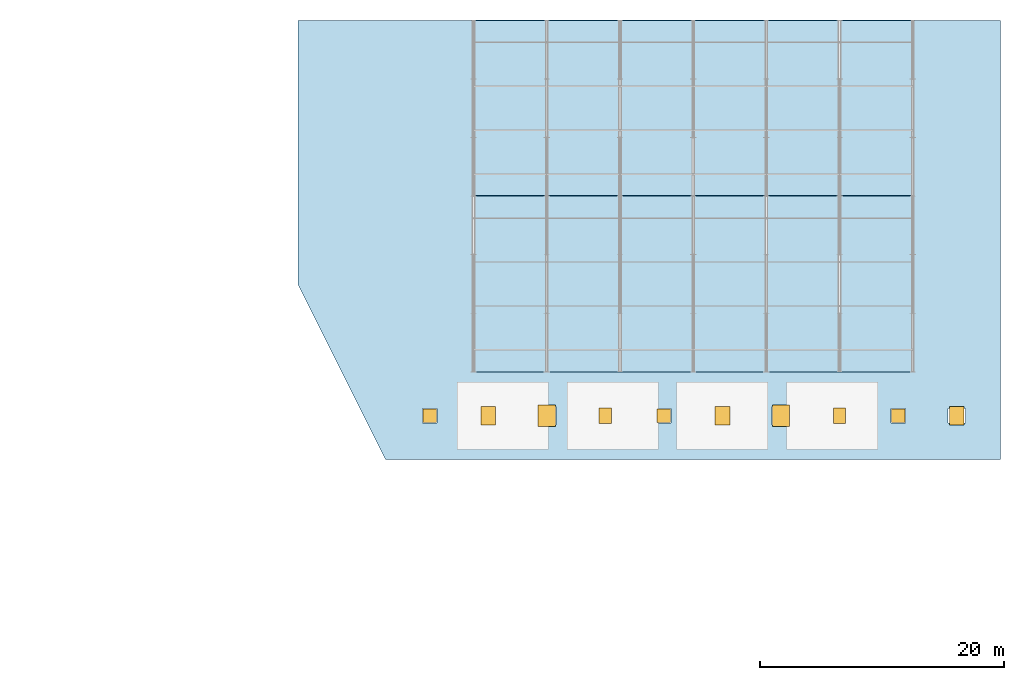
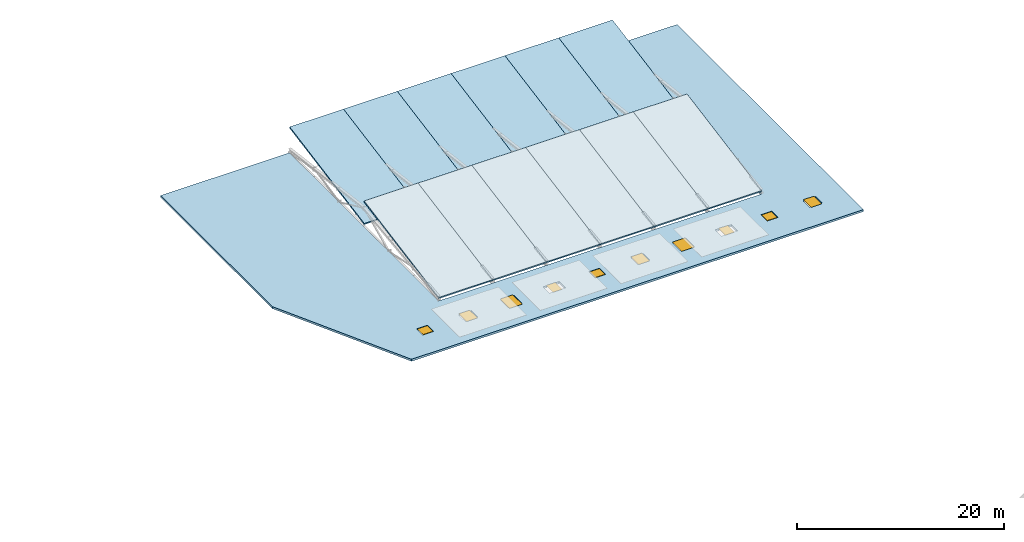
# One storey, part 13 of 32: 13 slabs, 10 windows, 10 openings.
"""IFC4 building model written with IfcOpenShell, lengths in metres."""

from ifc_helpers import new_model, si_unit, direction, frame, origin, origin_2d, place, context, subcontext, project, spatial, polyline, rectangle, outline, extrude, material, layer, layer_set, type_object, element, fill, save


model = new_model("IFC4")

# Units and contexts
model_context = context("Model", 3, precision=1e-05, world=origin(), true_north=direction((0.0, 1.0)))
body_context = subcontext(model_context, "Body", "Model", "MODEL_VIEW")
ifc_project = project(units=[si_unit("LENGTHUNIT", "METRE"), si_unit("AREAUNIT", "SQUARE_METRE"), si_unit("VOLUMEUNIT", "CUBIC_METRE"), si_unit("PLANEANGLEUNIT", "RADIAN"), si_unit("MASSUNIT", "GRAM", prefix="KILO")], contexts=[model_context])

# Site, building, storey
site_placement = place(None, origin())
site = spatial("IfcSite", under=ifc_project, at=site_placement, CompositionType="ELEMENT")
building_placement = place(site_placement, origin())
building = spatial("IfcBuilding", under=site, at=building_placement, Name="Brisavento Harbour Community Centre", CompositionType="ELEMENT")
storey_placement = place(building_placement, frame((0.0, 0.0, 12.89990234375)))
storey = spatial("IfcBuildingStorey", under=building, at=storey_placement, Name="L03", CompositionType="ELEMENT", Elevation=12.89990234375)

# Slab, openings, windows
ifc_material_1 = material(Name="Concrete C35/45", Category="concrete")
ifc_layer_1 = layer(ifc_material_1, 0.239990234375, Name="Concrete C35/45")
ifc_layer_set_1 = layer_set([ifc_layer_1], Name="Concrete C35/45")
slab_type_1 = type_object("IfcSlabType", Name="SLB-RF-240", PredefinedType="ROOF", material=ifc_layer_set_1)
slab_1_placement = place(storey_placement, frame((0.0, 0.0, -0.239990234375)))
slab_1 = element("IfcSlab", 1, at=slab_1_placement, inside=storey, type_object=slab_type_1, Name="L03 V4 perimeter bar roof slab", PredefinedType="ROOF", context=body_context, shape_type="SweptSolid", body=[
    extrude(outline(polyline([(172.800048828125, 115.199951171875), (165.60009765625, 115.199951171875), (165.60009765625, 86.39990234375), (129.60009765625, 86.39990234375), (129.60009765625, 115.199951171875), (115.199951171875, 115.199951171875), (115.199951171875, 93.60009765625), (122.39990234375, 79.199951171875), (172.800048828125, 79.199951171875), (172.800048828125, 115.199951171875)]), holes=[polyline([(126.60009765625, 83.39990234375), (126.60009765625, 82.199951171875), (125.39990234375, 82.199951171875), (125.39990234375, 83.39990234375), (126.60009765625, 83.39990234375)]), polyline([(131.5, 83.39990234375), (131.5, 82.199951171875), (130.10009765625, 82.199951171875), (130.10009765625, 83.39990234375), (131.5, 83.39990234375)]), polyline([(136.35009765625, 83.550048828125), (136.35009765625, 82.050048828125), (134.85009765625, 82.050048828125), (134.85009765625, 83.550048828125), (136.35009765625, 83.550048828125)]), polyline([(141.300048828125, 82.199951171875), (139.5, 82.199951171875), (139.5, 83.39990234375), (141.300048828125, 83.39990234375), (141.300048828125, 82.199951171875)]), polyline([(145.800048828125, 82.199951171875), (144.60009765625, 82.199951171875), (144.60009765625, 83.39990234375), (145.800048828125, 83.39990234375), (145.800048828125, 82.199951171875)]), polyline([(150.699951171875, 83.39990234375), (150.699951171875, 82.199951171875), (149.300048828125, 82.199951171875), (149.300048828125, 83.39990234375), (150.699951171875, 83.39990234375)]), polyline([(155.550048828125, 83.550048828125), (155.550048828125, 82.050048828125), (154.050048828125, 82.050048828125), (154.050048828125, 83.550048828125), (155.550048828125, 83.550048828125)]), polyline([(160.5, 83.39990234375), (160.5, 82.199951171875), (158.699951171875, 82.199951171875), (158.699951171875, 83.39990234375), (160.5, 83.39990234375)]), polyline([(165.0, 82.199951171875), (163.800048828125, 82.199951171875), (163.800048828125, 83.39990234375), (165.0, 83.39990234375), (165.0, 82.199951171875)]), polyline([(169.89990234375, 82.199951171875), (168.5, 82.199951171875), (168.5, 83.39990234375), (169.89990234375, 83.39990234375), (169.89990234375, 82.199951171875)])]), origin(), (0.0, 0.0, 1.0), 0.239990234375),
])
opening_1_placement = place(slab_1_placement, frame((126.0, 82.800048828125, 0.0)))
opening_1 = element("IfcOpeningElement", 2, at=opening_1_placement, cuts=slab_1, Name="Opening RH-01", PredefinedType="OPENING", context=body_context, shape_type="SweptSolid", body=[
    extrude(rectangle(XDim=1.10009765625, YDim=1.10009765625, at=origin_2d()), frame((0.0, 0.0, -0.010009765625)), (0.0, 0.0, 1.0), 0.260009765625),
])
opening_2_placement = place(slab_1_placement, frame((130.800048828125, 82.800048828125, 0.0)))
opening_2 = element("IfcOpeningElement", 3, at=opening_2_placement, cuts=slab_1, Name="Opening RH-02", PredefinedType="OPENING", context=body_context, shape_type="SweptSolid", body=[
    extrude(rectangle(XDim=1.199951171875, YDim=1.5, at=origin_2d()), frame((0.0, 0.0, -0.010009765625)), (0.0, 0.0, 1.0), 0.260009765625),
])
opening_3_placement = place(slab_1_placement, frame((135.60009765625, 82.800048828125, 0.0)))
opening_3 = element("IfcOpeningElement", 4, at=opening_3_placement, cuts=slab_1, Name="Opening RH-03", PredefinedType="OPENING", context=body_context, shape_type="SweptSolid", body=[
    extrude(rectangle(XDim=1.39990234375, YDim=1.800048828125, at=origin_2d()), frame((0.0, 0.0, -0.010009765625)), (0.0, 0.0, 1.0), 0.260009765625),
])
opening_4_placement = place(slab_1_placement, frame((140.39990234375, 82.800048828125, 0.0)))
opening_4 = element("IfcOpeningElement", 5, at=opening_4_placement, cuts=slab_1, Name="Opening RH-04", PredefinedType="OPENING", context=body_context, shape_type="SweptSolid", body=[
    extrude(rectangle(XDim=1.0, YDim=1.300048828125, at=origin_2d()), frame((0.0, 0.0, -0.010009765625)), (0.0, 0.0, 1.0), 0.260009765625),
])
opening_5_placement = place(slab_1_placement, frame((145.199951171875, 82.800048828125, 0.0)))
opening_5 = element("IfcOpeningElement", 6, at=opening_5_placement, cuts=slab_1, Name="Opening RH-01", PredefinedType="OPENING", context=body_context, shape_type="SweptSolid", body=[
    extrude(rectangle(XDim=1.10009765625, YDim=1.10009765625, at=origin_2d()), frame((0.0, 0.0, -0.010009765625)), (0.0, 0.0, 1.0), 0.260009765625),
])
opening_6_placement = place(slab_1_placement, frame((150.0, 82.800048828125, 0.0)))
opening_6 = element("IfcOpeningElement", 7, at=opening_6_placement, cuts=slab_1, Name="Opening RH-02", PredefinedType="OPENING", context=body_context, shape_type="SweptSolid", body=[
    extrude(rectangle(XDim=1.199951171875, YDim=1.5, at=origin_2d()), frame((0.0, 0.0, -0.010009765625)), (0.0, 0.0, 1.0), 0.260009765625),
])
opening_7_placement = place(slab_1_placement, frame((154.800048828125, 82.800048828125, 0.0)))
opening_7 = element("IfcOpeningElement", 8, at=opening_7_placement, cuts=slab_1, Name="Opening RH-03", PredefinedType="OPENING", context=body_context, shape_type="SweptSolid", body=[
    extrude(rectangle(XDim=1.39990234375, YDim=1.800048828125, at=origin_2d()), frame((0.0, 0.0, -0.010009765625)), (0.0, 0.0, 1.0), 0.260009765625),
])
opening_8_placement = place(slab_1_placement, frame((159.60009765625, 82.800048828125, 0.0)))
opening_8 = element("IfcOpeningElement", 9, at=opening_8_placement, cuts=slab_1, Name="Opening RH-04", PredefinedType="OPENING", context=body_context, shape_type="SweptSolid", body=[
    extrude(rectangle(XDim=1.0, YDim=1.300048828125, at=origin_2d()), frame((0.0, 0.0, -0.010009765625)), (0.0, 0.0, 1.0), 0.260009765625),
])
opening_9_placement = place(slab_1_placement, frame((164.39990234375, 82.800048828125, 0.0)))
opening_9 = element("IfcOpeningElement", 10, at=opening_9_placement, cuts=slab_1, Name="Opening RH-01", PredefinedType="OPENING", context=body_context, shape_type="SweptSolid", body=[
    extrude(rectangle(XDim=1.10009765625, YDim=1.10009765625, at=origin_2d()), frame((0.0, 0.0, -0.010009765625)), (0.0, 0.0, 1.0), 0.260009765625),
])
opening_10_placement = place(slab_1_placement, frame((169.199951171875, 82.800048828125, 0.0)))
opening_10 = element("IfcOpeningElement", 11, at=opening_10_placement, cuts=slab_1, Name="Opening RH-02", PredefinedType="OPENING", context=body_context, shape_type="SweptSolid", body=[
    extrude(rectangle(XDim=1.199951171875, YDim=1.5, at=origin_2d()), frame((0.0, 0.0, -0.010009765625)), (0.0, 0.0, 1.0), 0.260009765625),
])
ifc_material_2 = material(Name="Solar-control laminated low-E glass", Category="glass")
window_type_1 = type_object("IfcWindowType", Name="SKY-HT-1", PartitioningType="SINGLE_PANEL", PredefinedType="SKYLIGHT", material=ifc_material_2)
window_1_placement = place(opening_1_placement, frame((0.0, 0.0, 0.18994140625)))
window_1 = element("IfcWindow", 12, at=window_1_placement, inside=storey, type_object=window_type_1, Name="L03 Sports Hall foyer daylight skylight 01", OverallHeight=1.10009765625, OverallWidth=1.10009765625, PartitioningType="SINGLE_PANEL", PredefinedType="SKYLIGHT", context=body_context, shape_type="SweptSolid", body=[
    extrude(rectangle(XDim=1.10009765625, YDim=1.10009765625, at=origin_2d()), origin(), (0.0, 0.0, 1.0), 0.050048828125),
])
fill(opening_1, window_1)
window_2_placement = place(opening_5_placement, frame((0.0, 0.0, 0.18994140625)))
window_2 = element("IfcWindow", 13, at=window_2_placement, inside=storey, type_object=window_type_1, Name="L03 Sports Hall foyer daylight skylight 05", OverallHeight=1.10009765625, OverallWidth=1.10009765625, PartitioningType="SINGLE_PANEL", PredefinedType="SKYLIGHT", context=body_context, shape_type="SweptSolid", body=[
    extrude(rectangle(XDim=1.10009765625, YDim=1.10009765625, at=origin_2d()), origin(), (0.0, 0.0, 1.0), 0.050048828125),
])
fill(opening_5, window_2)
window_3_placement = place(opening_9_placement, frame((0.0, 0.0, 0.18994140625)))
window_3 = element("IfcWindow", 14, at=window_3_placement, inside=storey, type_object=window_type_1, Name="L03 Sports Hall foyer daylight skylight 09", OverallHeight=1.10009765625, OverallWidth=1.10009765625, PartitioningType="SINGLE_PANEL", PredefinedType="SKYLIGHT", context=body_context, shape_type="SweptSolid", body=[
    extrude(rectangle(XDim=1.10009765625, YDim=1.10009765625, at=origin_2d()), origin(), (0.0, 0.0, 1.0), 0.050048828125),
])
fill(opening_9, window_3)
window_type_2 = type_object("IfcWindowType", Name="SKY-HT-2", PartitioningType="SINGLE_PANEL", PredefinedType="SKYLIGHT", material=ifc_material_2)
window_4_placement = place(opening_2_placement, frame((0.0, 0.0, 0.18994140625)))
window_4 = element("IfcWindow", 15, at=window_4_placement, inside=storey, type_object=window_type_2, Name="L03 Sports Hall foyer daylight skylight 02", OverallHeight=1.5, OverallWidth=1.199951171875, PartitioningType="SINGLE_PANEL", PredefinedType="SKYLIGHT", context=body_context, shape_type="SweptSolid", body=[
    extrude(rectangle(XDim=1.199951171875, YDim=1.5, at=origin_2d()), origin(), (0.0, 0.0, 1.0), 0.050048828125),
])
fill(opening_2, window_4)
window_5_placement = place(opening_6_placement, frame((0.0, 0.0, 0.18994140625)))
window_5 = element("IfcWindow", 16, at=window_5_placement, inside=storey, type_object=window_type_2, Name="L03 Sports Hall foyer daylight skylight 06", OverallHeight=1.5, OverallWidth=1.199951171875, PartitioningType="SINGLE_PANEL", PredefinedType="SKYLIGHT", context=body_context, shape_type="SweptSolid", body=[
    extrude(rectangle(XDim=1.199951171875, YDim=1.5, at=origin_2d()), origin(), (0.0, 0.0, 1.0), 0.050048828125),
])
fill(opening_6, window_5)
window_6_placement = place(opening_10_placement, frame((0.0, 0.0, 0.18994140625)))
window_6 = element("IfcWindow", 17, at=window_6_placement, inside=storey, type_object=window_type_2, Name="L03 Sports Hall foyer daylight skylight 10", OverallHeight=1.5, OverallWidth=1.199951171875, PartitioningType="SINGLE_PANEL", PredefinedType="SKYLIGHT", context=body_context, shape_type="SweptSolid", body=[
    extrude(rectangle(XDim=1.199951171875, YDim=1.5, at=origin_2d()), origin(), (0.0, 0.0, 1.0), 0.050048828125),
])
fill(opening_10, window_6)
window_type_3 = type_object("IfcWindowType", Name="SKY-HT-3", PartitioningType="SINGLE_PANEL", PredefinedType="SKYLIGHT", material=ifc_material_2)
window_7_placement = place(opening_3_placement, frame((0.0, 0.0, 0.18994140625)))
window_7 = element("IfcWindow", 18, at=window_7_placement, inside=storey, type_object=window_type_3, Name="L03 Sports Hall foyer daylight skylight 03", OverallHeight=1.800048828125, OverallWidth=1.39990234375, PartitioningType="SINGLE_PANEL", PredefinedType="SKYLIGHT", context=body_context, shape_type="SweptSolid", body=[
    extrude(rectangle(XDim=1.39990234375, YDim=1.800048828125, at=origin_2d()), origin(), (0.0, 0.0, 1.0), 0.050048828125),
])
fill(opening_3, window_7)
window_8_placement = place(opening_7_placement, frame((0.0, 0.0, 0.18994140625)))
window_8 = element("IfcWindow", 19, at=window_8_placement, inside=storey, type_object=window_type_3, Name="L03 Sports Hall foyer daylight skylight 07", OverallHeight=1.800048828125, OverallWidth=1.39990234375, PartitioningType="SINGLE_PANEL", PredefinedType="SKYLIGHT", context=body_context, shape_type="SweptSolid", body=[
    extrude(rectangle(XDim=1.39990234375, YDim=1.800048828125, at=origin_2d()), origin(), (0.0, 0.0, 1.0), 0.050048828125),
])
fill(opening_7, window_8)
window_type_4 = type_object("IfcWindowType", Name="SKY-HT-4", PartitioningType="SINGLE_PANEL", PredefinedType="SKYLIGHT", material=ifc_material_2)
window_9_placement = place(opening_4_placement, frame((0.0, 0.0, 0.18994140625)))
window_9 = element("IfcWindow", 20, at=window_9_placement, inside=storey, type_object=window_type_4, Name="L03 Sports Hall foyer daylight skylight 04", OverallHeight=1.300048828125, OverallWidth=1.0, PartitioningType="SINGLE_PANEL", PredefinedType="SKYLIGHT", context=body_context, shape_type="SweptSolid", body=[
    extrude(rectangle(XDim=1.0, YDim=1.300048828125, at=origin_2d()), origin(), (0.0, 0.0, 1.0), 0.050048828125),
])
fill(opening_4, window_9)
window_10_placement = place(opening_8_placement, frame((0.0, 0.0, 0.18994140625)))
window_10 = element("IfcWindow", 21, at=window_10_placement, inside=storey, type_object=window_type_4, Name="L03 Sports Hall foyer daylight skylight 08", OverallHeight=1.300048828125, OverallWidth=1.0, PartitioningType="SINGLE_PANEL", PredefinedType="SKYLIGHT", context=body_context, shape_type="SweptSolid", body=[
    extrude(rectangle(XDim=1.0, YDim=1.300048828125, at=origin_2d()), origin(), (0.0, 0.0, 1.0), 0.050048828125),
])
fill(opening_8, window_10)

# Slabs
ifc_material_3 = material(Name="Precast concrete C40/50", Category="concrete")
ifc_layer_2 = layer(ifc_material_3, 0.179931640625, Name="Precast concrete C40/50")
ifc_layer_set_2 = layer_set([ifc_layer_2], Name="Precast concrete C40/50")
slab_type_2 = type_object("IfcSlabType", Name="SLB-SAW-180", PredefinedType="ROOF", material=ifc_layer_set_2)
slab_2_placement = place(storey_placement, frame((129.60009765625, 86.39990234375, 0.400146484375), z_axis=(0.0, -0.180980362943, 0.983486709737), x_axis=(1.0, 0.0, 0.0)))
element("IfcSlab", 22, at=slab_2_placement, inside=storey, type_object=slab_type_2, Name="Sports Hall sawtooth roof slab 1.1", PredefinedType="ROOF", context=body_context, shape_type="SweptSolid", body=[
    extrude(outline(polyline([(0.0, 0.0), (6.0, 0.0), (6.0, 14.641932973582055), (0.0, 14.641932973582055), (0.0, 0.0)])), origin(), (0.0, 0.0, -1.0), 0.179931640625),
])
slab_3_placement = place(storey_placement, frame((129.60009765625, 100.800048828125, 0.400146484375), z_axis=(0.0, -0.180983330839, 0.983486163583), x_axis=(1.0, 0.0, 0.0)))
element("IfcSlab", 23, at=slab_3_placement, inside=storey, type_object=slab_type_2, Name="Sports Hall sawtooth roof slab 1.2", PredefinedType="ROOF", context=body_context, shape_type="SweptSolid", body=[
    extrude(outline(polyline([(0.0, 0.0), (6.0, 0.0), (6.0, 14.641692864588729), (0.0, 14.641692864588729), (0.0, 0.0)])), origin(), (0.0, 0.0, -1.0), 0.179931640625),
])
slab_4_placement = place(storey_placement, frame((135.60009765625, 86.39990234375, 0.400146484375), z_axis=(0.0, -0.180980362943, 0.983486709737), x_axis=(1.0, 0.0, 0.0)))
element("IfcSlab", 24, at=slab_4_placement, inside=storey, type_object=slab_type_2, Name="Sports Hall sawtooth roof slab 2.1", PredefinedType="ROOF", context=body_context, shape_type="SweptSolid", body=[
    extrude(outline(polyline([(0.0, 0.0), (6.0, 0.0), (6.0, 14.641932973582055), (0.0, 14.641932973582055), (0.0, 0.0)])), origin(), (0.0, 0.0, -1.0), 0.179931640625),
])
slab_5_placement = place(storey_placement, frame((135.60009765625, 100.800048828125, 0.400146484375), z_axis=(0.0, -0.180983330839, 0.983486163583), x_axis=(1.0, 0.0, 0.0)))
element("IfcSlab", 25, at=slab_5_placement, inside=storey, type_object=slab_type_2, Name="Sports Hall sawtooth roof slab 2.2", PredefinedType="ROOF", context=body_context, shape_type="SweptSolid", body=[
    extrude(outline(polyline([(0.0, 0.0), (6.0, 0.0), (6.0, 14.641692864588729), (0.0, 14.641692864588729), (0.0, 0.0)])), origin(), (0.0, 0.0, -1.0), 0.179931640625),
])
slab_6_placement = place(storey_placement, frame((141.60009765625, 86.39990234375, 0.400146484375), z_axis=(0.0, -0.180980362943, 0.983486709737), x_axis=(1.0, 0.0, 0.0)))
element("IfcSlab", 26, at=slab_6_placement, inside=storey, type_object=slab_type_2, Name="Sports Hall sawtooth roof slab 3.1", PredefinedType="ROOF", context=body_context, shape_type="SweptSolid", body=[
    extrude(outline(polyline([(0.0, 0.0), (6.0, 0.0), (6.0, 14.641932973582055), (0.0, 14.641932973582055), (0.0, 0.0)])), origin(), (0.0, 0.0, -1.0), 0.179931640625),
])
slab_7_placement = place(storey_placement, frame((141.60009765625, 100.800048828125, 0.400146484375), z_axis=(0.0, -0.180983330839, 0.983486163583), x_axis=(1.0, 0.0, 0.0)))
element("IfcSlab", 27, at=slab_7_placement, inside=storey, type_object=slab_type_2, Name="Sports Hall sawtooth roof slab 3.2", PredefinedType="ROOF", context=body_context, shape_type="SweptSolid", body=[
    extrude(outline(polyline([(0.0, 0.0), (6.0, 0.0), (6.0, 14.641692864588729), (0.0, 14.641692864588729), (0.0, 0.0)])), origin(), (0.0, 0.0, -1.0), 0.179931640625),
])
slab_8_placement = place(storey_placement, frame((147.60009765625, 86.39990234375, 0.400146484375), z_axis=(0.0, -0.180980362943, 0.983486709737), x_axis=(1.0, 0.0, 0.0)))
element("IfcSlab", 28, at=slab_8_placement, inside=storey, type_object=slab_type_2, Name="Sports Hall sawtooth roof slab 4.1", PredefinedType="ROOF", context=body_context, shape_type="SweptSolid", body=[
    extrude(outline(polyline([(0.0, 0.0), (6.0, 0.0), (6.0, 14.641932973582055), (0.0, 14.641932973582055), (0.0, 0.0)])), origin(), (0.0, 0.0, -1.0), 0.179931640625),
])
slab_9_placement = place(storey_placement, frame((147.60009765625, 100.800048828125, 0.400146484375), z_axis=(0.0, -0.180983330839, 0.983486163583), x_axis=(1.0, 0.0, 0.0)))
element("IfcSlab", 29, at=slab_9_placement, inside=storey, type_object=slab_type_2, Name="Sports Hall sawtooth roof slab 4.2", PredefinedType="ROOF", context=body_context, shape_type="SweptSolid", body=[
    extrude(outline(polyline([(0.0, 0.0), (6.0, 0.0), (6.0, 14.641692864588729), (0.0, 14.641692864588729), (0.0, 0.0)])), origin(), (0.0, 0.0, -1.0), 0.179931640625),
])
slab_10_placement = place(storey_placement, frame((153.60009765625, 86.39990234375, 0.400146484375), z_axis=(0.0, -0.180980362943, 0.983486709737), x_axis=(1.0, 0.0, 0.0)))
element("IfcSlab", 30, at=slab_10_placement, inside=storey, type_object=slab_type_2, Name="Sports Hall sawtooth roof slab 5.1", PredefinedType="ROOF", context=body_context, shape_type="SweptSolid", body=[
    extrude(outline(polyline([(0.0, 0.0), (6.0, 0.0), (6.0, 14.641932973582055), (0.0, 14.641932973582055), (0.0, 0.0)])), origin(), (0.0, 0.0, -1.0), 0.179931640625),
])
slab_11_placement = place(storey_placement, frame((153.60009765625, 100.800048828125, 0.400146484375), z_axis=(0.0, -0.180983330839, 0.983486163583), x_axis=(1.0, 0.0, 0.0)))
element("IfcSlab", 31, at=slab_11_placement, inside=storey, type_object=slab_type_2, Name="Sports Hall sawtooth roof slab 5.2", PredefinedType="ROOF", context=body_context, shape_type="SweptSolid", body=[
    extrude(outline(polyline([(0.0, 0.0), (6.0, 0.0), (6.0, 14.641692864588729), (0.0, 14.641692864588729), (0.0, 0.0)])), origin(), (0.0, 0.0, -1.0), 0.179931640625),
])
slab_12_placement = place(storey_placement, frame((159.60009765625, 86.39990234375, 0.400146484375), z_axis=(0.0, -0.180980362943, 0.983486709737), x_axis=(1.0, 0.0, 0.0)))
element("IfcSlab", 32, at=slab_12_placement, inside=storey, type_object=slab_type_2, Name="Sports Hall sawtooth roof slab 6.1", PredefinedType="ROOF", context=body_context, shape_type="SweptSolid", body=[
    extrude(outline(polyline([(0.0, 0.0), (6.0, 0.0), (6.0, 14.641932973582055), (0.0, 14.641932973582055), (0.0, 0.0)])), origin(), (0.0, 0.0, -1.0), 0.179931640625),
])
slab_13_placement = place(storey_placement, frame((159.60009765625, 100.800048828125, 0.400146484375), z_axis=(0.0, -0.180983330839, 0.983486163583), x_axis=(1.0, 0.0, 0.0)))
element("IfcSlab", 33, at=slab_13_placement, inside=storey, type_object=slab_type_2, Name="Sports Hall sawtooth roof slab 6.2", PredefinedType="ROOF", context=body_context, shape_type="SweptSolid", body=[
    extrude(outline(polyline([(0.0, 0.0), (6.0, 0.0), (6.0, 14.641692864588729), (0.0, 14.641692864588729), (0.0, 0.0)])), origin(), (0.0, 0.0, -1.0), 0.179931640625),
])

save(model, "model.ifc")
